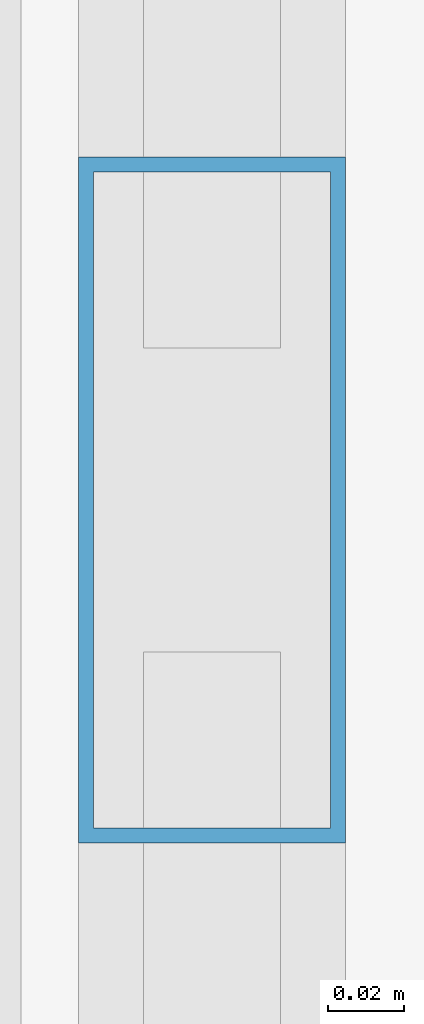
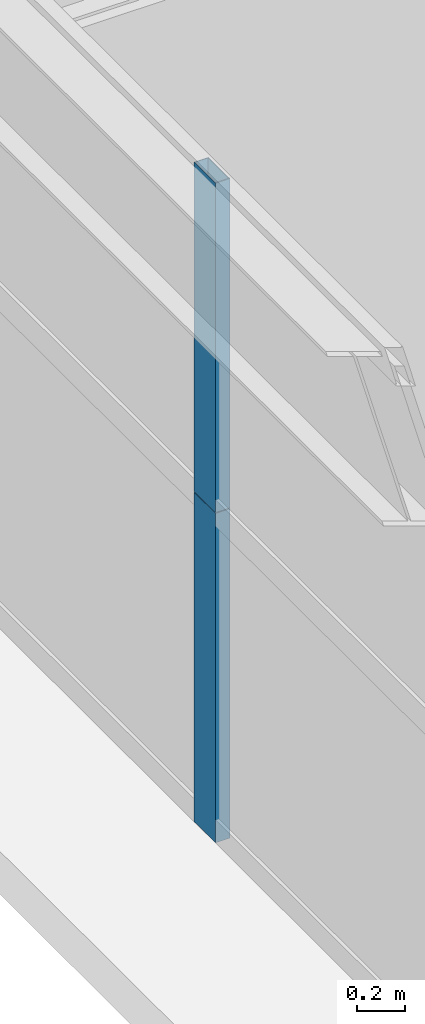
# One storey, part 8 of 39: 2 members, 1 element without a shape of its own.
"""IFC4 building model written with IfcOpenShell, lengths in metres."""

import ifcopenshell
import ifcopenshell.guid

model = None  # the IFC model being written
_history = None  # IfcOwnerHistory: only IFC2X3 demands one
_inside = {}  # id of a spatial element -> (the spatial element, [elements in it])
_under = {}  # id of a project, library or spatial element -> (it, [spatial elements below it])
_declared = {}  # id of a project -> (the project, [libraries it declares])
_typed = {}  # id of a type object -> (the type object, [elements of that type])
_made_of = {}  # id of a material, layer set ... -> (it, [elements and type objects made of it])


def new_model(schema):
    """Start an empty IFC model of exactly this schema.

    Asked for "IFC4X3", IfcOpenShell would pick the latest addendum, in which some entities
    have other attributes; the version numbers below select the first issue.
    IFC2X3 requires an IfcOwnerHistory on every rooted entity: one is made here for all.
    """
    global model, _history
    if schema == "IFC4X3":
        model = ifcopenshell.file(schema_version=(4, 3, 0, 0))
    else:
        model = ifcopenshell.file(schema=schema)
    _inside.clear()
    _under.clear()
    _declared.clear()
    _typed.clear()
    _made_of.clear()
    _history = None
    if model.schema == "IFC2X3":
        org = make("IfcOrganization", Name="unknown")
        user = make(
            "IfcPersonAndOrganization",
            ThePerson=make("IfcPerson", FamilyName="unknown"),
            TheOrganization=org,
        )
        app = make(
            "IfcApplication",
            ApplicationDeveloper=org,
            Version="unknown",
            ApplicationFullName="unknown",
            ApplicationIdentifier="unknown",
        )
        _history = make(
            "IfcOwnerHistory",
            OwningUser=user,
            OwningApplication=app,
            ChangeAction="ADDED",
            CreationDate=0,
        )
    return model


def make(cls, **values):
    """One entity of the class cls with the attributes given. An attribute that is None is left unset."""
    return model.create_entity(
        cls, **{name: value for name, value in values.items() if value is not None}
    )


def rooted(cls, **values):
    """An entity with a GlobalId (a new one), such as an element, a storey or a relation."""
    return make(cls, GlobalId=ifcopenshell.guid.new(), OwnerHistory=_history, **values)


def si_unit(unit_type, name, prefix=None):
    """IfcSIUnit, for example si_unit("LENGTHUNIT", "METRE", prefix="MILLI")."""
    return make("IfcSIUnit", UnitType=unit_type, Prefix=prefix, Name=name)


def assignment(units):
    """IfcUnitAssignment: the units of a project."""
    return None if units is None else make("IfcUnitAssignment", Units=units)


def point(xyz):
    """IfcCartesianPoint."""
    return None if xyz is None else make("IfcCartesianPoint", Coordinates=xyz)


def direction(xyz):
    """IfcDirection."""
    return None if xyz is None else make("IfcDirection", DirectionRatios=xyz)


def frame(location, z_axis=None, x_axis=None):
    """IfcAxis2Placement3D, a coordinate frame: its origin and axes. An axis left out is left unset."""
    return make(
        "IfcAxis2Placement3D",
        Location=point(location),
        Axis=direction(z_axis),
        RefDirection=direction(x_axis),
    )


def frame_2d(location, x_axis=None):
    """IfcAxis2Placement2D, a coordinate frame in the plane: its origin and x axis."""
    return make(
        "IfcAxis2Placement2D", Location=point(location), RefDirection=direction(x_axis)
    )


def origin():
    """The frame at (0, 0, 0) with its axes left unset."""
    return frame((0.0, 0.0, 0.0))


def origin_2d():
    """The frame at (0, 0) in the plane with its x axis left unset."""
    return frame_2d((0.0, 0.0))


def place(relative_to, where):
    """IfcLocalPlacement: puts the frame where relative to a parent placement (None: the world)."""
    return make(
        "IfcLocalPlacement", PlacementRelTo=relative_to, RelativePlacement=where
    )


def context(
    kind, dimensions, precision=None, world=None, true_north=None, identifier=None
):
    """IfcGeometricRepresentationContext, for example the 3D "Model" context."""
    return make(
        "IfcGeometricRepresentationContext",
        ContextIdentifier=identifier,
        ContextType=kind,
        CoordinateSpaceDimension=dimensions,
        Precision=precision,
        WorldCoordinateSystem=world,
        TrueNorth=true_north,
    )


def subcontext(parent, identifier, kind, view, scale=None):
    """IfcGeometricRepresentationSubContext, for example "Body" below "Model"."""
    return make(
        "IfcGeometricRepresentationSubContext",
        ContextIdentifier=identifier,
        ContextType=kind,
        ParentContext=parent,
        TargetScale=scale,
        TargetView=view,
    )


def project(units=None, contexts=None):
    """IfcProject with its units and contexts."""
    return rooted(
        "IfcProject",
        Name="project",
        RepresentationContexts=contexts,
        UnitsInContext=assignment(units),
    )


def spatial(cls, under=None, at=None, **own):
    """A site, building, storey or space (cls), placed at a placement, below another one or the project."""
    s = rooted(cls, ObjectPlacement=at, **own)
    if under is not None:
        _under.setdefault(under.id(), (under, []))[1].append(s)
    return s


def profile(cls, at=None, kind="AREA", **sizes):
    """A parametric profile (cls). Its sizes go by their IFC names, for example OverallWidth=200.0."""
    return make(cls, ProfileType=kind, Position=at, **sizes)


def hollow_rectangle(**sizes):
    """IfcRectangleHollowProfileDef."""
    return profile("IfcRectangleHollowProfileDef", **sizes)


def extrude(swept, where, along, depth):
    """IfcExtrudedAreaSolid: the profile swept, set in the frame where, extruded along a direction by depth."""
    return make(
        "IfcExtrudedAreaSolid",
        SweptArea=swept,
        Position=where,
        ExtrudedDirection=direction(along),
        Depth=depth,
    )


def shape(context_of_items, identifier, shape_type, items):
    """IfcShapeRepresentation: the items that make up one representation, for example the "Body"."""
    return make(
        "IfcShapeRepresentation",
        ContextOfItems=context_of_items,
        RepresentationIdentifier=identifier,
        RepresentationType=shape_type,
        Items=items,
    )


def source(mapping_origin, context_of_items, identifier, shape_type, items):
    """IfcRepresentationMap: a shape defined once, which mapped items show again and again."""
    return make(
        "IfcRepresentationMap",
        MappingOrigin=mapping_origin,
        MappedRepresentation=shape(context_of_items, identifier, shape_type, items),
    )


def transform(
    local_origin,
    x_axis=None,
    y_axis=None,
    z_axis=None,
    scale=None,
    scale2=None,
    scale3=None,
    uniform=True,
):
    """IfcCartesianTransformationOperator3D, or its non-uniform kind. x_axis, y_axis, z_axis: its Axis1, 2, 3."""
    if uniform:
        return make(
            "IfcCartesianTransformationOperator3D",
            Axis1=direction(x_axis),
            Axis2=direction(y_axis),
            LocalOrigin=point(local_origin),
            Scale=scale,
            Axis3=direction(z_axis),
        )
    return make(
        "IfcCartesianTransformationOperator3DnonUniform",
        Axis1=direction(x_axis),
        Axis2=direction(y_axis),
        LocalOrigin=point(local_origin),
        Scale=scale,
        Axis3=direction(z_axis),
        Scale2=scale2,
        Scale3=scale3,
    )


def mapped(mapping_source, mapping_target):
    """IfcMappedItem: shows the shape of a source again, moved by a transform."""
    return make(
        "IfcMappedItem", MappingSource=mapping_source, MappingTarget=mapping_target
    )


def material(Name=None, Category=None):
    """IfcMaterial."""
    return make("IfcMaterial", Name=Name, Category=Category)


def layer(
    of_material, thickness, ventilated=None, Name=None, Category=None, Priority=None
):
    """IfcMaterialLayer: one layer of a wall or slab, of a material (None: an air gap)."""
    return make(
        "IfcMaterialLayer",
        Material=of_material,
        LayerThickness=thickness,
        IsVentilated=ventilated,
        Name=Name,
        Category=Category,
        Priority=Priority,
    )


def layer_set(layers, Name=None):
    """IfcMaterialLayerSet."""
    return make("IfcMaterialLayerSet", MaterialLayers=layers, LayerSetName=Name)


def material_profile(
    of_material, cross_section, Name=None, Category=None, Priority=None
):
    """IfcMaterialProfile: a cross section and its material."""
    return make(
        "IfcMaterialProfile",
        Name=Name,
        Material=of_material,
        Profile=cross_section,
        Priority=Priority,
        Category=Category,
    )


def profile_set(profiles, Name=None, composite=None):
    """IfcMaterialProfileSet."""
    return make(
        "IfcMaterialProfileSet",
        Name=Name,
        MaterialProfiles=profiles,
        CompositeProfile=composite,
    )


def made_of(thing, what):
    """Note that an element or type object is made of a material, layer set ...; save() writes the relation."""
    if what is not None:
        _made_of.setdefault(what.id(), (what, []))[1].append(thing)
    return thing


def type_object(cls, material=None, **own):
    """A type object (cls), such as IfcWallType, which elements share."""
    return made_of(rooted(cls, **own), material)


def element(
    cls,
    number,
    at=None,
    inside=None,
    cuts=None,
    type_object=None,
    material=None,
    context=None,
    identifier="Body",
    shape_type=None,
    held_by="IfcProductDefinitionShape",
    body=None,
    shapes=None,
    **own,
):
    """One element of the class cls, such as IfcWall. Its Tag is "e" and its number.

    at: its placement. inside: the storey or other place that contains it. cuts: it is an
    opening in that element (IfcRelVoidsElement). A single representation is given by context,
    identifier, shape_type and body (its items); several are given by shapes. held_by: the class
    of the entity that holds the representations. save() writes the other relations.
    """
    e = rooted(cls, Tag="e%d" % number, ObjectPlacement=at, **own)
    if body is not None:
        shapes = [shape(context, identifier, shape_type, body)]
    if shapes is not None:
        e.Representation = make(held_by, Representations=shapes)
    if inside is not None:
        _inside.setdefault(inside.id(), (inside, []))[1].append(e)
    if cuts is not None:
        rooted(
            "IfcRelVoidsElement", RelatingBuildingElement=cuts, RelatedOpeningElement=e
        )
    if type_object is not None:
        _typed.setdefault(type_object.id(), (type_object, []))[1].append(e)
    return made_of(e, material)


def aggregate(whole, parts):
    """IfcRelAggregates: a whole, such as a stair, and the parts it consists of."""
    return rooted("IfcRelAggregates", RelatingObject=whole, RelatedObjects=parts)


def save(model, path):
    """Write the relations noted so far, then the file.

    IfcRelAggregates (storeys below a building ...), IfcRelContainedInSpatialStructure (elements
    in a storey), IfcRelDefinesByType, IfcRelAssociatesMaterial and IfcRelDeclares: one each for
    every whole, place, type object, material and project.
    """
    for whole, parts in _under.values():
        aggregate(whole, parts)
    for where, things in _inside.values():
        rooted(
            "IfcRelContainedInSpatialStructure",
            RelatedElements=things,
            RelatingStructure=where,
        )
    for kind, things in _typed.values():
        rooted("IfcRelDefinesByType", RelatedObjects=things, RelatingType=kind)
    for what, things in _made_of.values():
        rooted("IfcRelAssociatesMaterial", RelatedObjects=things, RelatingMaterial=what)
    for by, libraries in _declared.values():
        rooted("IfcRelDeclares", RelatingContext=by, RelatedDefinitions=libraries)
    model.write(path)


model = new_model("IFC4")

# Units and contexts
model_context = context("Model", 3, precision=1e-05, world=origin(), true_north=direction((0.0, 1.0)))
body_context = subcontext(model_context, "Body", "Model", "MODEL_VIEW")
ifc_project = project(units=[si_unit("LENGTHUNIT", "METRE"), si_unit("AREAUNIT", "SQUARE_METRE"), si_unit("VOLUMEUNIT", "CUBIC_METRE"), si_unit("PLANEANGLEUNIT", "RADIAN"), si_unit("MASSUNIT", "GRAM", prefix="KILO"), si_unit("THERMODYNAMICTEMPERATUREUNIT", "KELVIN"), si_unit("POWERUNIT", "WATT")], contexts=[model_context])

# Site, building, storey
site_placement = place(None, origin())
site = spatial("IfcSite", under=ifc_project, at=site_placement, CompositionType="ELEMENT")
building_placement = place(site_placement, origin())
building = spatial("IfcBuilding", under=site, at=building_placement, Name="Yuzanri Waterfront Tower", CompositionType="ELEMENT")
storey_placement = place(building_placement, frame((0.0, 0.0, 148.800048828125)))
storey = spatial("IfcBuildingStorey", under=building, at=storey_placement, Name="L39", CompositionType="ELEMENT", Elevation=148.800048828125)

# Curtain wall, members
ifc_material_1 = material(Name="Anodized Architectural Bronze", Category="metal")
ifc_layer = layer(ifc_material_1, 0.159912109375)
ifc_layer_set = layer_set([ifc_layer], Name="Anodized Architectural Bronze")
curtain_wall_type = type_object("IfcCurtainWallType", Name="Anodized Bronze Hotel Upper-Tier Solar-Control Unitized Curtain Wall 7800", PredefinedType="NOTDEFINED", material=ifc_layer_set)
curtain_wall_placement = place(storey_placement, origin())
curtain_wall = element("IfcCurtainWall", 1, at=curtain_wall_placement, inside=storey, type_object=curtain_wall_type, Name="L39 Curtain Wall CW-L39-WL", PredefinedType="NOTDEFINED")
ifc_material_2 = material(Name="Anodized Architectural Bronze", Category="metal")
ifc_material_profile = material_profile(ifc_material_2, hollow_rectangle(XDim=0.070068359375, YDim=0.179931640625, WallThickness=0.00390625, at=origin_2d()), Name="CWM 70x180")
ifc_profile_set = profile_set([ifc_material_profile], Name="Anodized Architectural Bronze")
member_type = type_object("IfcMemberType", Name="Anodized Bronze Standard Curtain-Wall Mullion 70x180", PredefinedType="MULLION", material=ifc_profile_set)
shared_shape = source(origin(), body_context, "Body", "SweptSolid", [
    extrude(hollow_rectangle(XDim=0.070068359375, YDim=0.179931640625, WallThickness=0.00390625, at=origin_2d()), origin(), (0.0, 0.0, 1.0), 1.68798828125),
])
member_1_placement = place(storey_placement, frame((13.550048828125, 17.449951171875, 0.0), z_axis=(0.0, 0.0, 1.0), x_axis=(1.0, 0.0, 0.0)))
member_1 = element("IfcMember", 2, at=member_1_placement, type_object=member_type, Name="CW-L39-WL Lower Mullion 01", PredefinedType="MULLION", context=body_context, shape_type="MappedRepresentation", body=[
    mapped(shared_shape, transform((0.0, 0.0, 0.0), scale=1.0)),
])
member_2_placement = place(storey_placement, frame((13.550048828125, 17.449951171875, 1.69189453125), z_axis=(0.0, 0.0, 1.0), x_axis=(1.0, 0.0, 0.0)))
member_2 = element("IfcMember", 3, at=member_2_placement, type_object=member_type, Name="CW-L39-WL Upper Mullion 01", PredefinedType="MULLION", context=body_context, shape_type="MappedRepresentation", body=[
    mapped(shared_shape, transform((0.0, 0.0, 0.0), scale=1.0)),
])
aggregate(curtain_wall, [member_1, member_2])

save(model, "model.ifc")
